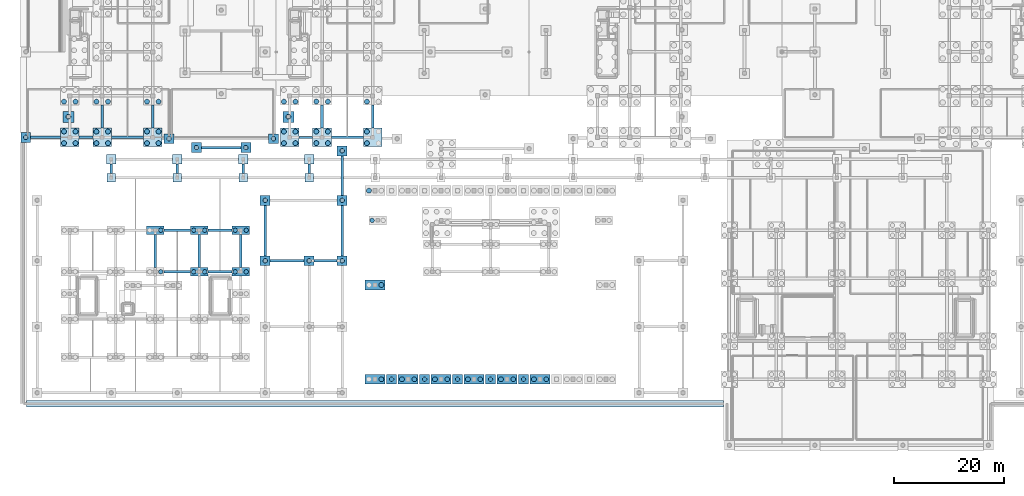
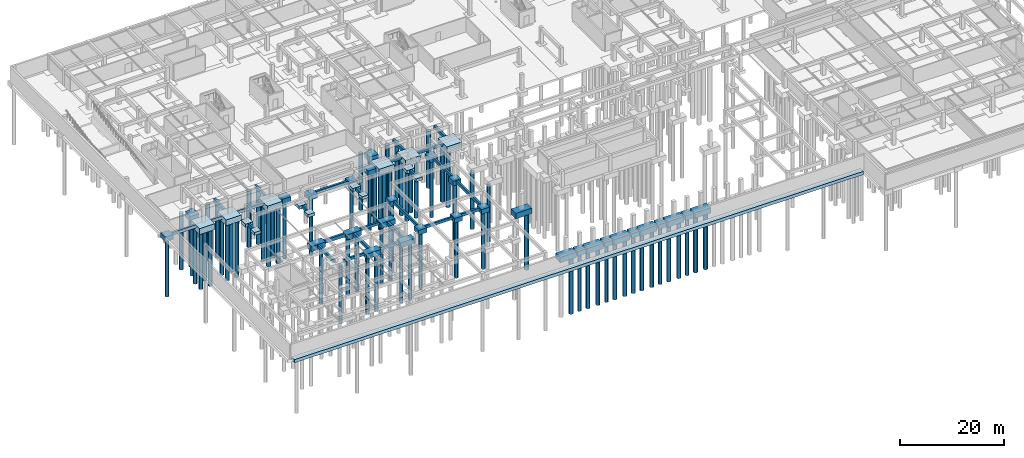
# One storey, part 2 of 35: 75 piles, 71 footings.
"""IFC4 building model written with IfcOpenShell, lengths in metres."""

from ifc_helpers import new_model, si_unit, direction, frame, origin, origin_2d, place, context, subcontext, project, spatial, rectangle, circle, extrude, material, material_profile, profile_set, type_object, element, save


model = new_model("IFC4")

# Units and contexts
model_context = context("Model", 3, precision=1e-05, world=origin(), true_north=direction((0.0, 1.0)))
body_context = subcontext(model_context, "Body", "Model", "MODEL_VIEW")
ifc_project = project(units=[si_unit("LENGTHUNIT", "METRE"), si_unit("AREAUNIT", "SQUARE_METRE"), si_unit("VOLUMEUNIT", "CUBIC_METRE"), si_unit("PLANEANGLEUNIT", "RADIAN"), si_unit("MASSUNIT", "GRAM", prefix="KILO")], contexts=[model_context])

# Site, building, storey
site_placement = place(None, origin())
site = spatial("IfcSite", under=ifc_project, at=site_placement, CompositionType="ELEMENT")
building_placement = place(site_placement, origin())
building = spatial("IfcBuilding", under=site, at=building_placement, Name="Keldmere Railside Commons", CompositionType="ELEMENT")
storey_placement = place(building_placement, frame((0.0, 0.0, -3.840087890625)))
storey = spatial("IfcBuildingStorey", under=building, at=storey_placement, Name="B1", CompositionType="ELEMENT", Elevation=-3.840087890625)

# Piles
ifc_material_1 = material(Name="Concrete H-30 (C30/37)", Category="concrete")
ifc_material_profile_1 = material_profile(ifc_material_1, circle(Radius=0.39990234375, at=origin_2d()), Name="PILE-D800")
ifc_profile_set_1 = profile_set([ifc_material_profile_1], Name="Concrete H-30 (C30/37)")
pile_type_1 = type_object("IfcPileType", Name="Bored Concrete Pile D800", PredefinedType="BORED", material=ifc_profile_set_1)
pile_1_placement = place(storey_placement, frame((0.449951171875, 56.449951171875, -1.0), z_axis=(0.0, 0.0, -1.0), x_axis=(1.0, 0.0, 0.0)))
element("IfcPile", 1, at=pile_1_placement, inside=storey, type_object=pile_type_1, Name="BP-800 PILE-0029", PredefinedType="BORED", context=body_context, shape_type="SweptSolid", body=[
    extrude(circle(Radius=0.39990234375, at=origin_2d()), origin(), (0.0, 0.0, 1.0), 13.659912109375),
])
for number, where, z_axis, x_axis, name in (
    (2, (25.0, 32.0, -1.099853515625), (0.0, 0.0, -1.0), (1.0, 0.0, 0.0), "BP-800 PILE-0151"),
    (3, (25.0, 39.550048828125, -1.099853515625), (0.0, 0.0, -1.0), (1.0, 0.0, 0.0), "BP-800 PILE-0153"),
):
    element("IfcPile", number, at=place(storey_placement, frame(where, z_axis=z_axis, x_axis=x_axis)), inside=storey, type_object=pile_type_1, Name=name, PredefinedType="BORED", context=body_context, shape_type="SweptSolid", body=[
        extrude(circle(Radius=0.39990234375, at=origin_2d()), origin(), (0.0, 0.0, 1.0), 13.56005859375),
    ])
for number, where, z_axis, x_axis, name in (
    (4, (26.5, 56.199951171875, -1.0), (0.0, 0.0, -1.0), (1.0, 0.0, 0.0), "BP-800 PILE-0166"),
    (5, (31.5, 54.60009765625, -1.0), (0.0, 0.0, -1.0), (1.0, 0.0, 0.0), "BP-800 PILE-0172"),
):
    element("IfcPile", number, at=place(storey_placement, frame(where, z_axis=z_axis, x_axis=x_axis)), inside=storey, type_object=pile_type_1, Name=name, PredefinedType="BORED", context=body_context, shape_type="SweptSolid", body=[
        extrude(circle(Radius=0.39990234375, at=origin_2d()), origin(), (0.0, 0.0, 1.0), 13.659912109375),
    ])
for number, where, z_axis, x_axis, name in (
    (6, (31.0, 32.0, -1.099853515625), (0.0, 0.0, -1.0), (1.0, 0.0, 0.0), "BP-800 PILE-0177"),
    (7, (33.0, 32.0, -1.099853515625), (0.0, 0.0, -1.0), (1.0, 0.0, 0.0), "BP-800 PILE-0178"),
    (8, (31.0, 39.550048828125, -1.099853515625), (0.0, 0.0, -1.0), (1.0, 0.0, 0.0), "BP-800 PILE-0179"),
    (9, (33.0, 39.550048828125, -1.099853515625), (0.0, 0.0, -1.0), (1.0, 0.0, 0.0), "BP-800 PILE-0180"),
    (10, (38.550048828125, 32.0, -1.099853515625), (0.0, 0.0, -1.0), (1.0, 0.0, 0.0), "BP-800 PILE-0197"),
    (11, (40.550048828125, 32.0, -1.099853515625), (0.0, 0.0, -1.0), (1.0, 0.0, 0.0), "BP-800 PILE-0198"),
    (12, (38.550048828125, 39.550048828125, -1.099853515625), (0.0, 0.0, -1.0), (1.0, 0.0, 0.0), "BP-800 PILE-0199"),
    (13, (40.550048828125, 39.550048828125, -1.099853515625), (0.0, 0.0, -1.0), (1.0, 0.0, 0.0), "BP-800 PILE-0200"),
):
    element("IfcPile", number, at=place(storey_placement, frame(where, z_axis=z_axis, x_axis=x_axis)), inside=storey, type_object=pile_type_1, Name=name, PredefinedType="BORED", context=body_context, shape_type="SweptSolid", body=[
        extrude(circle(Radius=0.39990234375, at=origin_2d()), origin(), (0.0, 0.0, 1.0), 13.56005859375),
    ])
for number, where, z_axis, x_axis, name in (
    (14, (40.5, 54.60009765625, -1.0), (0.0, 0.0, -1.0), (1.0, 0.0, 0.0), "BP-800 PILE-0213"),
    (15, (44.0, 34.0, -1.0), (0.0, 0.0, -1.0), (1.0, 0.0, 0.0), "BP-800 PILE-0218"),
    (16, (44.0, 45.0, -1.0), (0.0, 0.0, -1.0), (1.0, 0.0, 0.0), "BP-800 PILE-0219"),
    (17, (45.5, 56.199951171875, -1.0), (0.0, 0.0, -1.0), (1.0, 0.0, 0.0), "BP-800 PILE-0223"),
    (18, (52.0, 34.0, -1.0), (0.0, 0.0, -1.0), (1.0, 0.0, 0.0), "BP-800 PILE-0257"),
    (19, (58.0, 34.0, -1.0), (0.0, 0.0, -1.0), (1.0, 0.0, 0.0), "BP-800 PILE-0293"),
    (20, (58.0, 45.0, -1.0), (0.0, 0.0, -1.0), (1.0, 0.0, 0.0), "BP-800 PILE-0294"),
    (21, (58.0, 54.0, -1.0), (0.0, 0.0, -1.0), (1.0, 0.0, 0.0), "BP-800 PILE-0295"),
):
    element("IfcPile", number, at=place(storey_placement, frame(where, z_axis=z_axis, x_axis=x_axis)), inside=storey, type_object=pile_type_1, Name=name, PredefinedType="BORED", context=body_context, shape_type="SweptSolid", body=[
        extrude(circle(Radius=0.39990234375, at=origin_2d()), origin(), (0.0, 0.0, 1.0), 13.659912109375),
    ])
pile_2_placement = place(storey_placement, frame((63.449951171875, 41.35009765625, -1.099853515625), z_axis=(0.0, 0.0, -1.0), x_axis=(1.0, 0.0, 0.0)))
element("IfcPile", 22, at=pile_2_placement, inside=storey, type_object=pile_type_1, Name="BP-800 PILE-0326", PredefinedType="BORED", context=body_context, shape_type="SweptSolid", body=[
    extrude(circle(Radius=0.39990234375, at=origin_2d()), origin(), (0.0, 0.0, 1.0), 13.56005859375),
])
for number, where, z_axis, x_axis, name in (
    (23, (67.0, 12.449951171875, -1.0), (0.0, 0.0, -1.0), (1.0, 0.0, 0.0), "BP-800 PILE-0340"),
    (24, (73.0, 12.449951171875, -1.0), (0.0, 0.0, -1.0), (1.0, 0.0, 0.0), "BP-800 PILE-0361"),
    (25, (79.0, 12.449951171875, -1.0), (0.0, 0.0, -1.0), (1.0, 0.0, 0.0), "BP-800 PILE-0390"),
    (26, (85.0, 12.449951171875, -1.0), (0.0, 0.0, -1.0), (1.0, 0.0, 0.0), "BP-800 PILE-0406"),
    (27, (91.0, 12.449951171875, -1.0), (0.0, 0.0, -1.0), (1.0, 0.0, 0.0), "BP-800 PILE-0422"),
):
    element("IfcPile", number, at=place(storey_placement, frame(where, z_axis=z_axis, x_axis=x_axis)), inside=storey, type_object=pile_type_1, Name=name, PredefinedType="BORED", context=body_context, shape_type="SweptSolid", body=[
        extrude(circle(Radius=0.39990234375, at=origin_2d()), origin(), (0.0, 0.0, 1.0), 13.659912109375),
    ])
ifc_material_profile_2 = material_profile(ifc_material_1, circle(Radius=0.449951171875, at=origin_2d()), Name="PILE-D900")
ifc_profile_set_2 = profile_set([ifc_material_profile_2], Name="Concrete H-30 (C30/37)")
pile_type_2 = type_object("IfcPileType", Name="Bored Concrete Pile D900", PredefinedType="BORED", material=ifc_profile_set_2)
pile_3_placement = place(storey_placement, frame((8.219970703125, 60.199951171875, -1.099853515625), z_axis=(0.0, 0.0, -1.0), x_axis=(1.0, 0.0, 0.0)))
element("IfcPile", 28, at=pile_3_placement, inside=storey, type_object=pile_type_2, Name="BP-900 PILE-0037", PredefinedType="BORED", context=body_context, shape_type="SweptSolid", body=[
    extrude(circle(Radius=0.449951171875, at=origin_2d()), origin(), (0.0, 0.0, 1.0), 13.56005859375),
])
for number, where, z_axis, x_axis, name in (
    (29, (7.39990234375, 55.39990234375, -1.2998046875), (0.0, 0.0, -1.0), (1.0, 0.0, 0.0), "BP-900 PILE-0050"),
    (30, (9.5, 55.39990234375, -1.2998046875), (0.0, 0.0, -1.0), (1.0, 0.0, 0.0), "BP-900 PILE-0051"),
    (31, (9.5, 57.5, -1.2998046875), (0.0, 0.0, -1.0), (1.0, 0.0, 0.0), "BP-900 PILE-0052"),
    (32, (7.39990234375, 57.5, -1.2998046875), (0.0, 0.0, -1.0), (1.0, 0.0, 0.0), "BP-900 PILE-0053"),
    (33, (7.39990234375, 62.949951171875, -1.2998046875), (0.0, 0.0, -1.0), (1.0, 0.0, 0.0), "BP-900 PILE-0054"),
    (34, (9.5, 62.949951171875, -1.2998046875), (0.0, 0.0, -1.0), (1.0, 0.0, 0.0), "BP-900 PILE-0055"),
    (35, (13.300048828125, 55.39990234375, -1.2998046875), (0.0, 0.0, -1.0), (1.0, 0.0, 0.0), "BP-900 PILE-0078"),
    (36, (15.39990234375, 55.39990234375, -1.2998046875), (0.0, 0.0, -1.0), (1.0, 0.0, 0.0), "BP-900 PILE-0079"),
    (37, (15.39990234375, 57.5, -1.2998046875), (0.0, 0.0, -1.0), (1.0, 0.0, 0.0), "BP-900 PILE-0080"),
    (38, (13.300048828125, 57.5, -1.2998046875), (0.0, 0.0, -1.0), (1.0, 0.0, 0.0), "BP-900 PILE-0081"),
    (39, (13.300048828125, 62.949951171875, -1.2998046875), (0.0, 0.0, -1.0), (1.0, 0.0, 0.0), "BP-900 PILE-0082"),
    (40, (15.39990234375, 62.949951171875, -1.2998046875), (0.0, 0.0, -1.0), (1.0, 0.0, 0.0), "BP-900 PILE-0083"),
    (41, (22.5, 55.39990234375, -1.2998046875), (0.0, 0.0, -1.0), (1.0, 0.0, 0.0), "BP-900 PILE-0122"),
    (42, (24.60009765625, 55.39990234375, -1.2998046875), (0.0, 0.0, -1.0), (1.0, 0.0, 0.0), "BP-900 PILE-0123"),
    (43, (24.60009765625, 57.5, -1.2998046875), (0.0, 0.0, -1.0), (1.0, 0.0, 0.0), "BP-900 PILE-0124"),
    (44, (22.5, 57.5, -1.2998046875), (0.0, 0.0, -1.0), (1.0, 0.0, 0.0), "BP-900 PILE-0125"),
    (45, (22.5, 62.949951171875, -1.2998046875), (0.0, 0.0, -1.0), (1.0, 0.0, 0.0), "BP-900 PILE-0126"),
    (46, (24.60009765625, 62.949951171875, -1.2998046875), (0.0, 0.0, -1.0), (1.0, 0.0, 0.0), "BP-900 PILE-0127"),
):
    element("IfcPile", number, at=place(storey_placement, frame(where, z_axis=z_axis, x_axis=x_axis)), inside=storey, type_object=pile_type_2, Name=name, PredefinedType="BORED", context=body_context, shape_type="SweptSolid", body=[
        extrude(circle(Radius=0.449951171875, at=origin_2d()), origin(), (0.0, 0.0, 1.0), 13.360107421875),
    ])
pile_4_placement = place(storey_placement, frame((48.219970703125, 60.199951171875, -1.099853515625), z_axis=(0.0, 0.0, -1.0), x_axis=(1.0, 0.0, 0.0)))
element("IfcPile", 47, at=pile_4_placement, inside=storey, type_object=pile_type_2, Name="BP-900 PILE-0236", PredefinedType="BORED", context=body_context, shape_type="SweptSolid", body=[
    extrude(circle(Radius=0.449951171875, at=origin_2d()), origin(), (0.0, 0.0, 1.0), 13.56005859375),
])
for number, where, z_axis, x_axis, name in (
    (48, (47.39990234375, 55.39990234375, -1.2998046875), (0.0, 0.0, -1.0), (1.0, 0.0, 0.0), "BP-900 PILE-0239"),
    (49, (49.5, 55.39990234375, -1.2998046875), (0.0, 0.0, -1.0), (1.0, 0.0, 0.0), "BP-900 PILE-0240"),
    (50, (49.5, 57.5, -1.2998046875), (0.0, 0.0, -1.0), (1.0, 0.0, 0.0), "BP-900 PILE-0241"),
    (51, (47.39990234375, 57.5, -1.2998046875), (0.0, 0.0, -1.0), (1.0, 0.0, 0.0), "BP-900 PILE-0242"),
    (52, (47.39990234375, 62.949951171875, -1.2998046875), (0.0, 0.0, -1.0), (1.0, 0.0, 0.0), "BP-900 PILE-0243"),
    (53, (49.5, 62.949951171875, -1.2998046875), (0.0, 0.0, -1.0), (1.0, 0.0, 0.0), "BP-900 PILE-0244"),
    (54, (53.300048828125, 55.39990234375, -1.2998046875), (0.0, 0.0, -1.0), (1.0, 0.0, 0.0), "BP-900 PILE-0258"),
    (55, (55.39990234375, 55.39990234375, -1.2998046875), (0.0, 0.0, -1.0), (1.0, 0.0, 0.0), "BP-900 PILE-0259"),
    (56, (55.39990234375, 57.5, -1.2998046875), (0.0, 0.0, -1.0), (1.0, 0.0, 0.0), "BP-900 PILE-0260"),
    (57, (53.300048828125, 57.5, -1.2998046875), (0.0, 0.0, -1.0), (1.0, 0.0, 0.0), "BP-900 PILE-0261"),
    (58, (53.300048828125, 62.949951171875, -1.2998046875), (0.0, 0.0, -1.0), (1.0, 0.0, 0.0), "BP-900 PILE-0262"),
    (59, (55.39990234375, 62.949951171875, -1.2998046875), (0.0, 0.0, -1.0), (1.0, 0.0, 0.0), "BP-900 PILE-0263"),
    (60, (62.5, 55.39990234375, -1.2998046875), (0.0, 0.0, -1.0), (1.0, 0.0, 0.0), "BP-900 PILE-0296"),
    (61, (62.5, 57.5, -1.2998046875), (0.0, 0.0, -1.0), (1.0, 0.0, 0.0), "BP-900 PILE-0299"),
    (62, (62.5, 62.949951171875, -1.2998046875), (0.0, 0.0, -1.0), (1.0, 0.0, 0.0), "BP-900 PILE-0300"),
):
    element("IfcPile", number, at=place(storey_placement, frame(where, z_axis=z_axis, x_axis=x_axis)), inside=storey, type_object=pile_type_2, Name=name, PredefinedType="BORED", context=body_context, shape_type="SweptSolid", body=[
        extrude(circle(Radius=0.449951171875, at=origin_2d()), origin(), (0.0, 0.0, 1.0), 13.360107421875),
    ])
for number, where, z_axis, x_axis, name in (
    (63, (65.1201171875, 12.449951171875, -1.199951171875), (0.0, 0.0, -1.0), (1.0, 0.0, 0.0), "BP-900 PILE-0321"),
    (64, (65.1201171875, 29.60009765625, -1.199951171875), (0.0, 0.0, -1.0), (1.0, 0.0, 0.0), "BP-900 PILE-0323"),
    (65, (62.8798828125, 46.75, -1.199951171875), (0.0, 0.0, -1.0), (1.0, 0.0, 0.0), "BP-900 PILE-0324"),
    (66, (68.8798828125, 12.449951171875, -1.199951171875), (0.0, 0.0, -1.0), (1.0, 0.0, 0.0), "BP-900 PILE-0343"),
    (67, (71.1201171875, 12.449951171875, -1.199951171875), (0.0, 0.0, -1.0), (1.0, 0.0, 0.0), "BP-900 PILE-0344"),
    (68, (74.8798828125, 12.449951171875, -1.199951171875), (0.0, 0.0, -1.0), (1.0, 0.0, 0.0), "BP-900 PILE-0377"),
    (69, (77.1201171875, 12.449951171875, -1.199951171875), (0.0, 0.0, -1.0), (1.0, 0.0, 0.0), "BP-900 PILE-0378"),
    (70, (80.8798828125, 12.449951171875, -1.199951171875), (0.0, 0.0, -1.0), (1.0, 0.0, 0.0), "BP-900 PILE-0400"),
    (71, (83.1201171875, 12.449951171875, -1.199951171875), (0.0, 0.0, -1.0), (1.0, 0.0, 0.0), "BP-900 PILE-0401"),
    (72, (86.8798828125, 12.449951171875, -1.199951171875), (0.0, 0.0, -1.0), (1.0, 0.0, 0.0), "BP-900 PILE-0414"),
    (73, (89.1201171875, 12.449951171875, -1.199951171875), (0.0, 0.0, -1.0), (1.0, 0.0, 0.0), "BP-900 PILE-0415"),
    (74, (92.8798828125, 12.449951171875, -1.199951171875), (0.0, 0.0, -1.0), (1.0, 0.0, 0.0), "BP-900 PILE-0437"),
    (75, (95.1201171875, 12.449951171875, -1.199951171875), (0.0, 0.0, -1.0), (1.0, 0.0, 0.0), "BP-900 PILE-0438"),
):
    element("IfcPile", number, at=place(storey_placement, frame(where, z_axis=z_axis, x_axis=x_axis)), inside=storey, type_object=pile_type_2, Name=name, PredefinedType="BORED", context=body_context, shape_type="SweptSolid", body=[
        extrude(circle(Radius=0.449951171875, at=origin_2d()), origin(), (0.0, 0.0, 1.0), 13.4599609375),
    ])

# Footings
ifc_material_2 = material(Name="Concrete H-40 (C40/50)", Category="concrete")
footing_type_1 = type_object("IfcFootingType", Name="Canopy Pad Footing 1700x1700x750", PredefinedType="PAD_FOOTING", material=ifc_material_2)
for number, where, z_axis, x_axis, name in (
    (76, (16.0, 52.5, -0.75), (0.0, 0.0, 1.0), (1.0, 0.0, 0.0), "PF-02 FTG-036"),
    (77, (28.0, 52.5, -0.75), (0.0, 0.0, 1.0), (1.0, 0.0, 0.0), "PF-02 FTG-061"),
    (78, (40.0, 52.5, -0.75), (0.0, 0.0, 1.0), (1.0, 0.0, 0.0), "PF-02 FTG-082"),
    (79, (52.0, 52.5, -0.75), (0.0, 0.0, 1.0), (1.0, 0.0, 0.0), "PF-02 FTG-108"),
):
    element("IfcFooting", number, at=place(storey_placement, frame(where, z_axis=z_axis, x_axis=x_axis)), inside=storey, type_object=footing_type_1, Name=name, PredefinedType="PAD_FOOTING", context=body_context, shape_type="SweptSolid", body=[
        extrude(rectangle(XDim=1.699951171875, YDim=1.699951171875, at=origin_2d()), origin(), (0.0, 0.0, 1.0), 0.75),
    ])
footing_type_2 = type_object("IfcFootingType", Name="Colonnade Pad Footing 1500x1500x700", PredefinedType="PAD_FOOTING", material=ifc_material_2)
for number, where, z_axis, x_axis, name in (
    (80, (16.0, 49.10009765625, -0.69970703125), (0.0, 0.0, 1.0), (1.0, 0.0, 0.0), "PF-01 FTG-035"),
    (81, (28.0, 49.10009765625, -0.69970703125), (0.0, 0.0, 1.0), (1.0, 0.0, 0.0), "PF-01 FTG-060"),
    (82, (40.0, 49.10009765625, -0.69970703125), (0.0, 0.0, 1.0), (1.0, 0.0, 0.0), "PF-01 FTG-081"),
    (83, (52.0, 49.10009765625, -0.69970703125), (0.0, 0.0, 1.0), (1.0, 0.0, 0.0), "PF-01 FTG-107"),
):
    element("IfcFooting", number, at=place(storey_placement, frame(where, z_axis=z_axis, x_axis=x_axis)), inside=storey, type_object=footing_type_2, Name=name, PredefinedType="PAD_FOOTING", context=body_context, shape_type="SweptSolid", body=[
        extrude(rectangle(XDim=1.5, YDim=1.5, at=origin_2d()), origin(), (0.0, 0.0, 1.0), 0.699951171875),
    ])
footing_type_3 = type_object("IfcFootingType", Name="Four-Pile Heavy Cap 3400x3400x1400", PredefinedType="PILE_CAP", material=ifc_material_2)
for number, where, z_axis, x_axis, name in (
    (84, (8.449951171875, 56.449951171875, -1.39990234375), (0.0, 0.0, 1.0), (1.0, 0.0, 0.0), "PC-05 FTG-021"),
    (85, (14.35009765625, 56.449951171875, -1.39990234375), (0.0, 0.0, 1.0), (1.0, 0.0, 0.0), "PC-05 FTG-028"),
    (86, (23.550048828125, 56.449951171875, -1.39990234375), (0.0, 0.0, 1.0), (1.0, 0.0, 0.0), "PC-05 FTG-044"),
    (87, (48.449951171875, 56.449951171875, -1.39990234375), (0.0, 0.0, 1.0), (1.0, 0.0, 0.0), "PC-05 FTG-100"),
    (88, (54.35009765625, 56.449951171875, -1.39990234375), (0.0, 0.0, 1.0), (1.0, 0.0, 0.0), "PC-05 FTG-109"),
    (89, (63.550048828125, 56.449951171875, -1.39990234375), (0.0, 0.0, 1.0), (1.0, 0.0, 0.0), "PC-05 FTG-122"),
):
    element("IfcFooting", number, at=place(storey_placement, frame(where, z_axis=z_axis, x_axis=x_axis)), inside=storey, type_object=footing_type_3, Name=name, PredefinedType="PILE_CAP", context=body_context, shape_type="SweptSolid", body=[
        extrude(rectangle(XDim=3.39990234375, YDim=3.39990234375, at=origin_2d()), origin(), (0.0, 0.0, 1.0), 1.39990234375),
    ])
footing_type_4 = type_object("IfcFootingType", Name="Perimeter Ground Tie Beam 400x650", PredefinedType="FOOTING_BEAM", material=ifc_material_2)
footing_1_placement = place(storey_placement, frame((28.0, 32.0, -0.64990234375), z_axis=(0.0, 0.0, 1.0), x_axis=(1.0, 0.0, 0.0)))
element("IfcFooting", 90, at=footing_1_placement, inside=storey, type_object=footing_type_4, Name="GB-03 GB-056", PredefinedType="FOOTING_BEAM", context=body_context, shape_type="SweptSolid", body=[
    extrude(rectangle(XDim=4.800048828125, YDim=0.39990234375, at=origin_2d()), origin(), (0.0, 0.0, 1.0), 0.64990234375),
])
footing_2_placement = place(storey_placement, frame((28.0, 50.75, -0.64990234375), z_axis=(0.0, 0.0, 1.0), x_axis=(0.0, 1.0, 0.0)))
element("IfcFooting", 91, at=footing_2_placement, inside=storey, type_object=footing_type_4, Name="GB-03 GB-062", PredefinedType="FOOTING_BEAM", context=body_context, shape_type="SweptSolid", body=[
    extrude(rectangle(XDim=1.800048828125, YDim=0.39990234375, at=origin_2d()), origin(), (0.0, 0.0, 1.0), 0.64990234375),
])
footing_3_placement = place(storey_placement, frame((35.77490234375, 39.550048828125, -0.64990234375), z_axis=(0.0, 0.0, 1.0), x_axis=(1.0, 0.0, 0.0)))
element("IfcFooting", 92, at=footing_3_placement, inside=storey, type_object=footing_type_4, Name="GB-03 GB-071", PredefinedType="FOOTING_BEAM", context=body_context, shape_type="SweptSolid", body=[
    extrude(rectangle(XDim=4.35009765625, YDim=0.39990234375, at=origin_2d()), origin(), (0.0, 0.0, 1.0), 0.64990234375),
])
footing_4_placement = place(storey_placement, frame((48.0, 34.0, -0.64990234375), z_axis=(0.0, 0.0, 1.0), x_axis=(1.0, 0.0, 0.0)))
element("IfcFooting", 93, at=footing_4_placement, inside=storey, type_object=footing_type_4, Name="GB-03 GB-089", PredefinedType="FOOTING_BEAM", context=body_context, shape_type="SweptSolid", body=[
    extrude(rectangle(XDim=6.199951171875, YDim=0.39990234375, at=origin_2d()), origin(), (0.0, 0.0, 1.0), 0.64990234375),
])
footing_5_placement = place(storey_placement, frame((51.39990234375, 56.449951171875, -0.64990234375), z_axis=(0.0, 0.0, 1.0), x_axis=(1.0, 0.0, 0.0)))
element("IfcFooting", 94, at=footing_5_placement, inside=storey, type_object=footing_type_4, Name="GB-03 GB-098", PredefinedType="FOOTING_BEAM", context=body_context, shape_type="SweptSolid", body=[
    extrude(rectangle(XDim=2.5, YDim=0.39990234375, at=origin_2d()), origin(), (0.0, 0.0, 1.0), 0.64990234375),
])
footing_6_placement = place(storey_placement, frame((52.0, 50.75, -0.64990234375), z_axis=(0.0, 0.0, 1.0), x_axis=(0.0, 1.0, 0.0)))
element("IfcFooting", 95, at=footing_6_placement, inside=storey, type_object=footing_type_4, Name="GB-03 GB-104", PredefinedType="FOOTING_BEAM", context=body_context, shape_type="SweptSolid", body=[
    extrude(rectangle(XDim=1.800048828125, YDim=0.39990234375, at=origin_2d()), origin(), (0.0, 0.0, 1.0), 0.64990234375),
])
footing_7_placement = place(storey_placement, frame((58.0, 49.5, -0.64990234375), z_axis=(0.0, 0.0, 1.0), x_axis=(0.0, 1.0, 0.0)))
element("IfcFooting", 96, at=footing_7_placement, inside=storey, type_object=footing_type_4, Name="GB-03 GB-119", PredefinedType="FOOTING_BEAM", context=body_context, shape_type="SweptSolid", body=[
    extrude(rectangle(XDim=7.199951171875, YDim=0.39990234375, at=origin_2d()), origin(), (0.0, 0.0, 1.0), 0.64990234375),
])
footing_type_5 = type_object("IfcFootingType", Name="Primary Ground Tie Beam 500x800", PredefinedType="FOOTING_BEAM", material=ifc_material_2)
footing_8_placement = place(storey_placement, frame((14.35009765625, 60.22509765625, -0.7998046875), z_axis=(0.0, 0.0, 1.0), x_axis=(0.0, 1.0, 0.0)))
element("IfcFooting", 97, at=footing_8_placement, inside=storey, type_object=footing_type_5, Name="GB-01 GB-024", PredefinedType="FOOTING_BEAM", context=body_context, shape_type="SweptSolid", body=[
    extrude(rectangle(XDim=4.14990234375, YDim=0.5, at=origin_2d()), origin(), (0.0, 0.0, 1.0), 0.800048828125),
])
footing_9_placement = place(storey_placement, frame((28.0, 39.550048828125, -0.7998046875), z_axis=(0.0, 0.0, 1.0), x_axis=(1.0, 0.0, 0.0)))
element("IfcFooting", 98, at=footing_9_placement, inside=storey, type_object=footing_type_5, Name="GB-01 GB-057", PredefinedType="FOOTING_BEAM", context=body_context, shape_type="SweptSolid", body=[
    extrude(rectangle(XDim=4.800048828125, YDim=0.5, at=origin_2d()), origin(), (0.0, 0.0, 1.0), 0.800048828125),
])
for number, where, z_axis, x_axis, name in (
    (99, (32.0, 35.77490234375, -0.7998046875), (0.0, 0.0, 1.0), (0.0, 1.0, 0.0), "GB-01 GB-069"),
    (100, (39.550048828125, 35.77490234375, -0.7998046875), (0.0, 0.0, 1.0), (0.0, 1.0, 0.0), "GB-01 GB-078"),
):
    element("IfcFooting", number, at=place(storey_placement, frame(where, z_axis=z_axis, x_axis=x_axis)), inside=storey, type_object=footing_type_5, Name=name, PredefinedType="FOOTING_BEAM", context=body_context, shape_type="SweptSolid", body=[
        extrude(rectangle(XDim=5.949951171875, YDim=0.5, at=origin_2d()), origin(), (0.0, 0.0, 1.0), 0.800048828125),
    ])
footing_10_placement = place(storey_placement, frame((40.0, 50.75, -0.7998046875), z_axis=(0.0, 0.0, 1.0), x_axis=(0.0, 1.0, 0.0)))
element("IfcFooting", 101, at=footing_10_placement, inside=storey, type_object=footing_type_5, Name="GB-01 GB-084", PredefinedType="FOOTING_BEAM", context=body_context, shape_type="SweptSolid", body=[
    extrude(rectangle(XDim=1.800048828125, YDim=0.5, at=origin_2d()), origin(), (0.0, 0.0, 1.0), 0.800048828125),
])
for number, where, z_axis, x_axis, name in (
    (102, (54.35009765625, 60.22509765625, -0.7998046875), (0.0, 0.0, 1.0), (0.0, 1.0, 0.0), "GB-01 GB-105"),
    (103, (63.550048828125, 60.22509765625, -0.7998046875), (0.0, 0.0, 1.0), (0.0, 1.0, 0.0), "GB-01 GB-120"),
):
    element("IfcFooting", number, at=place(storey_placement, frame(where, z_axis=z_axis, x_axis=x_axis)), inside=storey, type_object=footing_type_5, Name=name, PredefinedType="FOOTING_BEAM", context=body_context, shape_type="SweptSolid", body=[
        extrude(rectangle(XDim=4.14990234375, YDim=0.5, at=origin_2d()), origin(), (0.0, 0.0, 1.0), 0.800048828125),
    ])
footing_type_6 = type_object("IfcFootingType", Name="Retaining Wall Strip Footing 1200x750", PredefinedType="STRIP_FOOTING", material=ifc_material_2)
footing_11_placement = place(storey_placement, frame((64.0, 8.0, -0.75), z_axis=(0.0, 0.0, 1.0), x_axis=(1.0, 0.0, 0.0)))
element("IfcFooting", 104, at=footing_11_placement, inside=storey, type_object=footing_type_6, Name="SF-01 WSF-021", PredefinedType="STRIP_FOOTING", context=body_context, shape_type="SweptSolid", body=[
    extrude(rectangle(XDim=126.800048828125, YDim=1.199951171875, at=origin_2d()), origin(), (0.0, 0.0, 1.0), 0.75),
])
footing_type_7 = type_object("IfcFootingType", Name="Secondary Ground Tie Beam 450x700", PredefinedType="FOOTING_BEAM", material=ifc_material_2)
footing_12_placement = place(storey_placement, frame((4.050048828125, 56.449951171875, -0.69970703125), z_axis=(0.0, 0.0, 1.0), x_axis=(1.0, 0.0, 0.0)))
element("IfcFooting", 105, at=footing_12_placement, inside=storey, type_object=footing_type_7, Name="GB-02 GB-001", PredefinedType="FOOTING_BEAM", context=body_context, shape_type="SweptSolid", body=[
    extrude(rectangle(XDim=5.39990234375, YDim=0.449951171875, at=origin_2d()), origin(), (0.0, 0.0, 1.0), 0.699951171875),
])
footing_13_placement = place(storey_placement, frame((11.39990234375, 56.449951171875, -0.69970703125), z_axis=(0.0, 0.0, 1.0), x_axis=(1.0, 0.0, 0.0)))
element("IfcFooting", 106, at=footing_13_placement, inside=storey, type_object=footing_type_7, Name="GB-02 GB-016", PredefinedType="FOOTING_BEAM", context=body_context, shape_type="SweptSolid", body=[
    extrude(rectangle(XDim=2.5, YDim=0.449951171875, at=origin_2d()), origin(), (0.0, 0.0, 1.0), 0.699951171875),
])
footing_14_placement = place(storey_placement, frame((18.949951171875, 56.449951171875, -0.69970703125), z_axis=(0.0, 0.0, 1.0), x_axis=(1.0, 0.0, 0.0)))
element("IfcFooting", 107, at=footing_14_placement, inside=storey, type_object=footing_type_7, Name="GB-02 GB-025", PredefinedType="FOOTING_BEAM", context=body_context, shape_type="SweptSolid", body=[
    extrude(rectangle(XDim=5.800048828125, YDim=0.449951171875, at=origin_2d()), origin(), (0.0, 0.0, 1.0), 0.699951171875),
])
footing_15_placement = place(storey_placement, frame((16.0, 50.75, -0.69970703125), z_axis=(0.0, 0.0, 1.0), x_axis=(0.0, 1.0, 0.0)))
element("IfcFooting", 108, at=footing_15_placement, inside=storey, type_object=footing_type_7, Name="GB-02 GB-034", PredefinedType="FOOTING_BEAM", context=body_context, shape_type="SweptSolid", body=[
    extrude(rectangle(XDim=1.800048828125, YDim=0.449951171875, at=origin_2d()), origin(), (0.0, 0.0, 1.0), 0.699951171875),
])
footing_16_placement = place(storey_placement, frame((23.550048828125, 60.22509765625, -0.69970703125), z_axis=(0.0, 0.0, 1.0), x_axis=(0.0, 1.0, 0.0)))
element("IfcFooting", 109, at=footing_16_placement, inside=storey, type_object=footing_type_7, Name="GB-02 GB-046", PredefinedType="FOOTING_BEAM", context=body_context, shape_type="SweptSolid", body=[
    extrude(rectangle(XDim=4.14990234375, YDim=0.449951171875, at=origin_2d()), origin(), (0.0, 0.0, 1.0), 0.699951171875),
])
footing_17_placement = place(storey_placement, frame((24.0, 35.77490234375, -0.69970703125), z_axis=(0.0, 0.0, 1.0), x_axis=(0.0, 1.0, 0.0)))
element("IfcFooting", 110, at=footing_17_placement, inside=storey, type_object=footing_type_7, Name="GB-02 GB-055", PredefinedType="FOOTING_BEAM", context=body_context, shape_type="SweptSolid", body=[
    extrude(rectangle(XDim=5.949951171875, YDim=0.449951171875, at=origin_2d()), origin(), (0.0, 0.0, 1.0), 0.699951171875),
])
footing_18_placement = place(storey_placement, frame((36.0, 54.60009765625, -0.69970703125), z_axis=(0.0, 0.0, 1.0), x_axis=(1.0, 0.0, 0.0)))
element("IfcFooting", 111, at=footing_18_placement, inside=storey, type_object=footing_type_7, Name="GB-02 GB-064", PredefinedType="FOOTING_BEAM", context=body_context, shape_type="SweptSolid", body=[
    extrude(rectangle(XDim=7.199951171875, YDim=0.449951171875, at=origin_2d()), origin(), (0.0, 0.0, 1.0), 0.699951171875),
])
footing_19_placement = place(storey_placement, frame((35.77490234375, 32.0, -0.69970703125), z_axis=(0.0, 0.0, 1.0), x_axis=(1.0, 0.0, 0.0)))
element("IfcFooting", 112, at=footing_19_placement, inside=storey, type_object=footing_type_7, Name="GB-02 GB-070", PredefinedType="FOOTING_BEAM", context=body_context, shape_type="SweptSolid", body=[
    extrude(rectangle(XDim=4.35009765625, YDim=0.449951171875, at=origin_2d()), origin(), (0.0, 0.0, 1.0), 0.699951171875),
])
footing_20_placement = place(storey_placement, frame((44.0, 39.5, -0.69970703125), z_axis=(0.0, 0.0, 1.0), x_axis=(0.0, 1.0, 0.0)))
element("IfcFooting", 113, at=footing_20_placement, inside=storey, type_object=footing_type_7, Name="GB-02 GB-088", PredefinedType="FOOTING_BEAM", context=body_context, shape_type="SweptSolid", body=[
    extrude(rectangle(XDim=9.199951171875, YDim=0.449951171875, at=origin_2d()), origin(), (0.0, 0.0, 1.0), 0.699951171875),
])
footing_21_placement = place(storey_placement, frame((55.0, 34.0, -0.69970703125), z_axis=(0.0, 0.0, 1.0), x_axis=(1.0, 0.0, 0.0)))
element("IfcFooting", 114, at=footing_21_placement, inside=storey, type_object=footing_type_7, Name="GB-02 GB-103", PredefinedType="FOOTING_BEAM", context=body_context, shape_type="SweptSolid", body=[
    extrude(rectangle(XDim=4.199951171875, YDim=0.449951171875, at=origin_2d()), origin(), (0.0, 0.0, 1.0), 0.699951171875),
])
footing_22_placement = place(storey_placement, frame((58.949951171875, 56.449951171875, -0.69970703125), z_axis=(0.0, 0.0, 1.0), x_axis=(1.0, 0.0, 0.0)))
element("IfcFooting", 115, at=footing_22_placement, inside=storey, type_object=footing_type_7, Name="GB-02 GB-106", PredefinedType="FOOTING_BEAM", context=body_context, shape_type="SweptSolid", body=[
    extrude(rectangle(XDim=5.800048828125, YDim=0.449951171875, at=origin_2d()), origin(), (0.0, 0.0, 1.0), 0.699951171875),
])
footing_23_placement = place(storey_placement, frame((58.0, 39.5, -0.69970703125), z_axis=(0.0, 0.0, 1.0), x_axis=(0.0, 1.0, 0.0)))
element("IfcFooting", 116, at=footing_23_placement, inside=storey, type_object=footing_type_7, Name="GB-02 GB-118", PredefinedType="FOOTING_BEAM", context=body_context, shape_type="SweptSolid", body=[
    extrude(rectangle(XDim=9.199951171875, YDim=0.449951171875, at=origin_2d()), origin(), (0.0, 0.0, 1.0), 0.699951171875),
])
footing_type_8 = type_object("IfcFootingType", Name="Single-Pile Cap 1800x1800x1100", PredefinedType="PILE_CAP", material=ifc_material_2)
for number, where, z_axis, x_axis, name in (
    (117, (0.449951171875, 56.449951171875, -1.099853515625), (0.0, 0.0, 1.0), (1.0, 0.0, 0.0), "PC-01 FTG-005"),
    (118, (26.5, 56.199951171875, -1.099853515625), (0.0, 0.0, 1.0), (1.0, 0.0, 0.0), "PC-01 FTG-057"),
    (119, (31.5, 54.60009765625, -1.099853515625), (0.0, 0.0, 1.0), (1.0, 0.0, 0.0), "PC-01 FTG-064"),
    (120, (40.5, 54.60009765625, -1.099853515625), (0.0, 0.0, 1.0), (1.0, 0.0, 0.0), "PC-01 FTG-083"),
    (121, (44.0, 34.0, -1.099853515625), (0.0, 0.0, 1.0), (1.0, 0.0, 0.0), "PC-01 FTG-088"),
    (122, (44.0, 45.0, -1.099853515625), (0.0, 0.0, 1.0), (1.0, 0.0, 0.0), "PC-01 FTG-089"),
    (123, (45.5, 56.199951171875, -1.099853515625), (0.0, 0.0, 1.0), (1.0, 0.0, 0.0), "PC-01 FTG-093"),
    (124, (52.0, 34.0, -1.099853515625), (0.0, 0.0, 1.0), (1.0, 0.0, 0.0), "PC-01 FTG-106"),
    (125, (58.0, 34.0, -1.099853515625), (0.0, 0.0, 1.0), (1.0, 0.0, 0.0), "PC-01 FTG-119"),
    (126, (58.0, 45.0, -1.099853515625), (0.0, 0.0, 1.0), (1.0, 0.0, 0.0), "PC-01 FTG-120"),
    (127, (58.0, 54.0, -1.099853515625), (0.0, 0.0, 1.0), (1.0, 0.0, 0.0), "PC-01 FTG-121"),
    (128, (67.0, 12.449951171875, -1.099853515625), (0.0, 0.0, 1.0), (1.0, 0.0, 0.0), "PC-01 FTG-137"),
    (129, (73.0, 12.449951171875, -1.099853515625), (0.0, 0.0, 1.0), (1.0, 0.0, 0.0), "PC-01 FTG-147"),
    (130, (79.0, 12.449951171875, -1.099853515625), (0.0, 0.0, 1.0), (1.0, 0.0, 0.0), "PC-01 FTG-157"),
    (131, (85.0, 12.449951171875, -1.099853515625), (0.0, 0.0, 1.0), (1.0, 0.0, 0.0), "PC-01 FTG-165"),
    (132, (91.0, 12.449951171875, -1.099853515625), (0.0, 0.0, 1.0), (1.0, 0.0, 0.0), "PC-01 FTG-178"),
):
    element("IfcFooting", number, at=place(storey_placement, frame(where, z_axis=z_axis, x_axis=x_axis)), inside=storey, type_object=footing_type_8, Name=name, PredefinedType="PILE_CAP", context=body_context, shape_type="SweptSolid", body=[
        extrude(rectangle(XDim=1.800048828125, YDim=1.800048828125, at=origin_2d()), origin(), (0.0, 0.0, 1.0), 1.10009765625),
    ])
footing_type_9 = type_object("IfcFootingType", Name="Single-Pile Cap 2000x2000x1200", PredefinedType="PILE_CAP", material=ifc_material_2)
for number, where, z_axis, x_axis, name in (
    (133, (8.219970703125, 60.199951171875, -1.19970703125), (0.0, 0.0, 1.0), (1.0, 0.0, 0.0), "PC-02 FTG-013"),
    (134, (48.219970703125, 60.199951171875, -1.19970703125), (0.0, 0.0, 1.0), (1.0, 0.0, 0.0), "PC-02 FTG-097"),
):
    element("IfcFooting", number, at=place(storey_placement, frame(where, z_axis=z_axis, x_axis=x_axis)), inside=storey, type_object=footing_type_9, Name=name, PredefinedType="PILE_CAP", context=body_context, shape_type="SweptSolid", body=[
        extrude(rectangle(XDim=2.0, YDim=2.0, at=origin_2d()), origin(), (0.0, 0.0, 1.0), 1.199951171875),
    ])
footing_type_10 = type_object("IfcFootingType", Name="Two-Pile Heavy Cap 3600x1800x1300", PredefinedType="PILE_CAP", material=ifc_material_2)
for number, where, z_axis, x_axis, name in (
    (135, (64.0, 12.449951171875, -1.2998046875), (0.0, 0.0, 1.0), (1.0, 0.0, 0.0), "PC-10 FTG-128"),
    (136, (64.0, 29.60009765625, -1.2998046875), (0.0, 0.0, 1.0), (1.0, 0.0, 0.0), "PC-10 FTG-129"),
    (137, (70.0, 12.449951171875, -1.2998046875), (0.0, 0.0, 1.0), (1.0, 0.0, 0.0), "PC-10 FTG-140"),
    (138, (76.0, 12.449951171875, -1.2998046875), (0.0, 0.0, 1.0), (1.0, 0.0, 0.0), "PC-10 FTG-153"),
    (139, (82.0, 12.449951171875, -1.2998046875), (0.0, 0.0, 1.0), (1.0, 0.0, 0.0), "PC-10 FTG-161"),
    (140, (88.0, 12.449951171875, -1.2998046875), (0.0, 0.0, 1.0), (1.0, 0.0, 0.0), "PC-10 FTG-170"),
    (141, (94.0, 12.449951171875, -1.2998046875), (0.0, 0.0, 1.0), (1.0, 0.0, 0.0), "PC-10 FTG-184"),
):
    element("IfcFooting", number, at=place(storey_placement, frame(where, z_axis=z_axis, x_axis=x_axis)), inside=storey, type_object=footing_type_10, Name=name, PredefinedType="PILE_CAP", context=body_context, shape_type="SweptSolid", body=[
        extrude(rectangle(XDim=3.60009765625, YDim=1.800048828125, at=origin_2d()), origin(), (0.0, 0.0, 1.0), 1.300048828125),
    ])
footing_type_11 = type_object("IfcFootingType", Name="Two-Pile Rectangular Cap 3200x1600x1200", PredefinedType="PILE_CAP", material=ifc_material_2)
for number, where, z_axis, x_axis, name in (
    (142, (24.0, 39.550048828125, -1.19970703125), (0.0, 0.0, 1.0), (1.0, 0.0, 0.0), "PC-09 FTG-053"),
    (143, (32.0, 32.0, -1.19970703125), (0.0, 0.0, 1.0), (1.0, 0.0, 0.0), "PC-09 FTG-067"),
    (144, (32.0, 39.550048828125, -1.19970703125), (0.0, 0.0, 1.0), (1.0, 0.0, 0.0), "PC-09 FTG-068"),
    (145, (39.550048828125, 32.0, -1.19970703125), (0.0, 0.0, 1.0), (1.0, 0.0, 0.0), "PC-09 FTG-076"),
    (146, (39.550048828125, 39.550048828125, -1.19970703125), (0.0, 0.0, 1.0), (1.0, 0.0, 0.0), "PC-09 FTG-077"),
):
    element("IfcFooting", number, at=place(storey_placement, frame(where, z_axis=z_axis, x_axis=x_axis)), inside=storey, type_object=footing_type_11, Name=name, PredefinedType="PILE_CAP", context=body_context, shape_type="SweptSolid", body=[
        extrude(rectangle(XDim=3.199951171875, YDim=1.60009765625, at=origin_2d()), origin(), (0.0, 0.0, 1.0), 1.199951171875),
    ])

save(model, "model.ifc")
